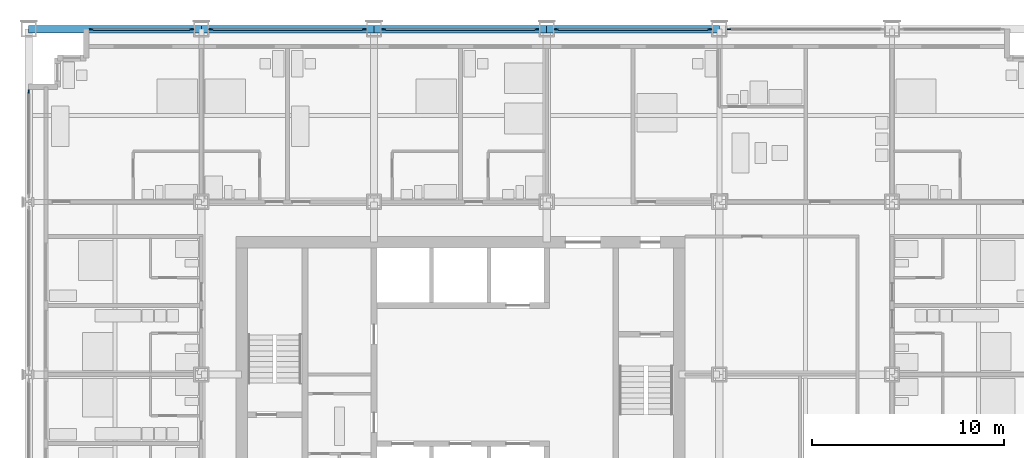
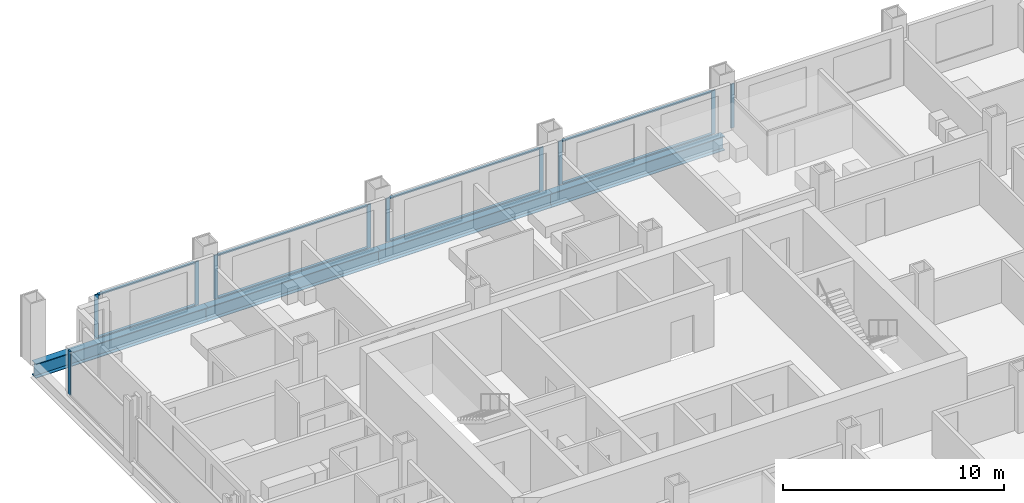
# One storey, part 7 of 18: 18 members, 4 beams, 6 elements without a shape of their own.
"""IFC4 building model written with IfcOpenShell, lengths in metres."""

import ifcopenshell
import ifcopenshell.guid

model = None  # the IFC model being written
_history = None  # IfcOwnerHistory: only IFC2X3 demands one
_inside = {}  # id of a spatial element -> (the spatial element, [elements in it])
_under = {}  # id of a project, library or spatial element -> (it, [spatial elements below it])
_declared = {}  # id of a project -> (the project, [libraries it declares])
_typed = {}  # id of a type object -> (the type object, [elements of that type])
_made_of = {}  # id of a material, layer set ... -> (it, [elements and type objects made of it])


def new_model(schema):
    """Start an empty IFC model of exactly this schema.

    Asked for "IFC4X3", IfcOpenShell would pick the latest addendum, in which some entities
    have other attributes; the version numbers below select the first issue.
    IFC2X3 requires an IfcOwnerHistory on every rooted entity: one is made here for all.
    """
    global model, _history
    if schema == "IFC4X3":
        model = ifcopenshell.file(schema_version=(4, 3, 0, 0))
    else:
        model = ifcopenshell.file(schema=schema)
    _inside.clear()
    _under.clear()
    _declared.clear()
    _typed.clear()
    _made_of.clear()
    _history = None
    if model.schema == "IFC2X3":
        org = make("IfcOrganization", Name="unknown")
        user = make(
            "IfcPersonAndOrganization",
            ThePerson=make("IfcPerson", FamilyName="unknown"),
            TheOrganization=org,
        )
        app = make(
            "IfcApplication",
            ApplicationDeveloper=org,
            Version="unknown",
            ApplicationFullName="unknown",
            ApplicationIdentifier="unknown",
        )
        _history = make(
            "IfcOwnerHistory",
            OwningUser=user,
            OwningApplication=app,
            ChangeAction="ADDED",
            CreationDate=0,
        )
    return model


def make(cls, **values):
    """One entity of the class cls with the attributes given. An attribute that is None is left unset."""
    return model.create_entity(
        cls, **{name: value for name, value in values.items() if value is not None}
    )


def rooted(cls, **values):
    """An entity with a GlobalId (a new one), such as an element, a storey or a relation."""
    return make(cls, GlobalId=ifcopenshell.guid.new(), OwnerHistory=_history, **values)


def si_unit(unit_type, name, prefix=None):
    """IfcSIUnit, for example si_unit("LENGTHUNIT", "METRE", prefix="MILLI")."""
    return make("IfcSIUnit", UnitType=unit_type, Prefix=prefix, Name=name)


def assignment(units):
    """IfcUnitAssignment: the units of a project."""
    return None if units is None else make("IfcUnitAssignment", Units=units)


def point(xyz):
    """IfcCartesianPoint."""
    return None if xyz is None else make("IfcCartesianPoint", Coordinates=xyz)


def direction(xyz):
    """IfcDirection."""
    return None if xyz is None else make("IfcDirection", DirectionRatios=xyz)


def frame(location, z_axis=None, x_axis=None):
    """IfcAxis2Placement3D, a coordinate frame: its origin and axes. An axis left out is left unset."""
    return make(
        "IfcAxis2Placement3D",
        Location=point(location),
        Axis=direction(z_axis),
        RefDirection=direction(x_axis),
    )


def frame_2d(location, x_axis=None):
    """IfcAxis2Placement2D, a coordinate frame in the plane: its origin and x axis."""
    return make(
        "IfcAxis2Placement2D", Location=point(location), RefDirection=direction(x_axis)
    )


def origin():
    """The frame at (0, 0, 0) with its axes left unset."""
    return frame((0.0, 0.0, 0.0))


def origin_2d():
    """The frame at (0, 0) in the plane with its x axis left unset."""
    return frame_2d((0.0, 0.0))


def place(relative_to, where):
    """IfcLocalPlacement: puts the frame where relative to a parent placement (None: the world)."""
    return make(
        "IfcLocalPlacement", PlacementRelTo=relative_to, RelativePlacement=where
    )


def context(
    kind, dimensions, precision=None, world=None, true_north=None, identifier=None
):
    """IfcGeometricRepresentationContext, for example the 3D "Model" context."""
    return make(
        "IfcGeometricRepresentationContext",
        ContextIdentifier=identifier,
        ContextType=kind,
        CoordinateSpaceDimension=dimensions,
        Precision=precision,
        WorldCoordinateSystem=world,
        TrueNorth=true_north,
    )


def subcontext(parent, identifier, kind, view, scale=None):
    """IfcGeometricRepresentationSubContext, for example "Body" below "Model"."""
    return make(
        "IfcGeometricRepresentationSubContext",
        ContextIdentifier=identifier,
        ContextType=kind,
        ParentContext=parent,
        TargetScale=scale,
        TargetView=view,
    )


def project(units=None, contexts=None):
    """IfcProject with its units and contexts."""
    return rooted(
        "IfcProject",
        Name="project",
        RepresentationContexts=contexts,
        UnitsInContext=assignment(units),
    )


def spatial(cls, under=None, at=None, **own):
    """A site, building, storey or space (cls), placed at a placement, below another one or the project."""
    s = rooted(cls, ObjectPlacement=at, **own)
    if under is not None:
        _under.setdefault(under.id(), (under, []))[1].append(s)
    return s


def profile(cls, at=None, kind="AREA", **sizes):
    """A parametric profile (cls). Its sizes go by their IFC names, for example OverallWidth=200.0."""
    return make(cls, ProfileType=kind, Position=at, **sizes)


def rectangle(**sizes):
    """IfcRectangleProfileDef."""
    return profile("IfcRectangleProfileDef", **sizes)


def i_section(**sizes):
    """IfcIShapeProfileDef."""
    return profile("IfcIShapeProfileDef", **sizes)


def extrude(swept, where, along, depth):
    """IfcExtrudedAreaSolid: the profile swept, set in the frame where, extruded along a direction by depth."""
    return make(
        "IfcExtrudedAreaSolid",
        SweptArea=swept,
        Position=where,
        ExtrudedDirection=direction(along),
        Depth=depth,
    )


def shape(context_of_items, identifier, shape_type, items):
    """IfcShapeRepresentation: the items that make up one representation, for example the "Body"."""
    return make(
        "IfcShapeRepresentation",
        ContextOfItems=context_of_items,
        RepresentationIdentifier=identifier,
        RepresentationType=shape_type,
        Items=items,
    )


def material(Name=None, Category=None):
    """IfcMaterial."""
    return make("IfcMaterial", Name=Name, Category=Category)


def material_profile(
    of_material, cross_section, Name=None, Category=None, Priority=None
):
    """IfcMaterialProfile: a cross section and its material."""
    return make(
        "IfcMaterialProfile",
        Name=Name,
        Material=of_material,
        Profile=cross_section,
        Priority=Priority,
        Category=Category,
    )


def profile_set(profiles, Name=None, composite=None):
    """IfcMaterialProfileSet."""
    return make(
        "IfcMaterialProfileSet",
        Name=Name,
        MaterialProfiles=profiles,
        CompositeProfile=composite,
    )


def made_of(thing, what):
    """Note that an element or type object is made of a material, layer set ...; save() writes the relation."""
    if what is not None:
        _made_of.setdefault(what.id(), (what, []))[1].append(thing)
    return thing


def type_object(cls, material=None, **own):
    """A type object (cls), such as IfcWallType, which elements share."""
    return made_of(rooted(cls, **own), material)


def element(
    cls,
    number,
    at=None,
    inside=None,
    cuts=None,
    type_object=None,
    material=None,
    context=None,
    identifier="Body",
    shape_type=None,
    held_by="IfcProductDefinitionShape",
    body=None,
    shapes=None,
    **own,
):
    """One element of the class cls, such as IfcWall. Its Tag is "e" and its number.

    at: its placement. inside: the storey or other place that contains it. cuts: it is an
    opening in that element (IfcRelVoidsElement). A single representation is given by context,
    identifier, shape_type and body (its items); several are given by shapes. held_by: the class
    of the entity that holds the representations. save() writes the other relations.
    """
    e = rooted(cls, Tag="e%d" % number, ObjectPlacement=at, **own)
    if body is not None:
        shapes = [shape(context, identifier, shape_type, body)]
    if shapes is not None:
        e.Representation = make(held_by, Representations=shapes)
    if inside is not None:
        _inside.setdefault(inside.id(), (inside, []))[1].append(e)
    if cuts is not None:
        rooted(
            "IfcRelVoidsElement", RelatingBuildingElement=cuts, RelatedOpeningElement=e
        )
    if type_object is not None:
        _typed.setdefault(type_object.id(), (type_object, []))[1].append(e)
    return made_of(e, material)


def aggregate(whole, parts):
    """IfcRelAggregates: a whole, such as a stair, and the parts it consists of."""
    return rooted("IfcRelAggregates", RelatingObject=whole, RelatedObjects=parts)


def save(model, path):
    """Write the relations noted so far, then the file.

    IfcRelAggregates (storeys below a building ...), IfcRelContainedInSpatialStructure (elements
    in a storey), IfcRelDefinesByType, IfcRelAssociatesMaterial and IfcRelDeclares: one each for
    every whole, place, type object, material and project.
    """
    for whole, parts in _under.values():
        aggregate(whole, parts)
    for where, things in _inside.values():
        rooted(
            "IfcRelContainedInSpatialStructure",
            RelatedElements=things,
            RelatingStructure=where,
        )
    for kind, things in _typed.values():
        rooted("IfcRelDefinesByType", RelatedObjects=things, RelatingType=kind)
    for what, things in _made_of.values():
        rooted("IfcRelAssociatesMaterial", RelatedObjects=things, RelatingMaterial=what)
    for by, libraries in _declared.values():
        rooted("IfcRelDeclares", RelatingContext=by, RelatedDefinitions=libraries)
    model.write(path)


model = new_model("IFC4")

# Units and contexts
model_context = context("Model", 3, precision=1e-05, world=origin(), true_north=direction((0.0, 1.0)))
body_context = subcontext(model_context, "Body", "Model", "MODEL_VIEW")
ifc_project = project(units=[si_unit("LENGTHUNIT", "METRE"), si_unit("AREAUNIT", "SQUARE_METRE"), si_unit("VOLUMEUNIT", "CUBIC_METRE"), si_unit("PLANEANGLEUNIT", "RADIAN"), si_unit("MASSUNIT", "GRAM", prefix="KILO")], contexts=[model_context])

# Site, building, storey
site_placement = place(None, origin())
site = spatial("IfcSite", under=ifc_project, at=site_placement, CompositionType="ELEMENT")
building_placement = place(site_placement, origin())
building = spatial("IfcBuilding", under=site, at=building_placement, Name="Loomwork Tower", CompositionType="ELEMENT")
storey_placement = place(building_placement, frame((0.0, 0.0, 55.199951171875)))
storey = spatial("IfcBuildingStorey", under=building, at=storey_placement, Name="L13", CompositionType="ELEMENT", Elevation=55.199951171875)

# Curtain wall, members
ifc_material_1 = material(Name="Aluminium curtain wall frame", Category="aluminium")
curtain_wall_type = type_object("IfcCurtainWallType", Name="Outer skin glazing hotel", PredefinedType="NOTDEFINED", material=ifc_material_1)
curtain_wall_1_placement = place(storey_placement, origin())
curtain_wall_1 = element("IfcCurtainWall", 1, at=curtain_wall_1_placement, inside=storey, type_object=curtain_wall_type, Name="Outer skin glazing hotel cw/N-0", PredefinedType="NOTDEFINED")
ifc_material_2 = material(Name="Aluminium curtain wall frame", Category="aluminium")
ifc_material_profile_1 = material_profile(ifc_material_2, rectangle(XDim=0.06494140625, YDim=0.199951171875, at=origin_2d()), Name="AL 65x200")
ifc_profile_set_1 = profile_set([ifc_material_profile_1], Name="Aluminium curtain wall frame")
member_type_1 = type_object("IfcMemberType", Name="Outer skin glazing hotel mullion", PredefinedType="MULLION", material=ifc_profile_set_1)
member_1_placement = place(storey_placement, frame((8.5, 36.0, 0.0), z_axis=(0.0, 0.0, 1.0), x_axis=(0.0, -1.0, 0.0)))
member_1 = element("IfcMember", 2, at=member_1_placement, type_object=member_type_1, Name="CW1 mullion 1", PredefinedType="MULLION", context=body_context, shape_type="SweptSolid", body=[
    extrude(rectangle(XDim=0.06494140625, YDim=0.199951171875, at=origin_2d()), origin(), (0.0, 0.0, 1.0), 2.420166015625),
])
member_2_placement = place(storey_placement, frame((3.25, 36.0, 0.0), z_axis=(0.0, 0.0, 1.0), x_axis=(0.0, -1.0, 0.0)))
member_2 = element("IfcMember", 3, at=member_2_placement, type_object=member_type_1, Name="CW1 mullion 2", PredefinedType="MULLION", context=body_context, shape_type="SweptSolid", body=[
    extrude(rectangle(XDim=0.06494140625, YDim=0.199951171875, at=origin_2d()), origin(), (0.0, 0.0, 1.0), 2.420166015625),
])

curtain_wall_2_placement = place(storey_placement, origin())
curtain_wall_2 = element("IfcCurtainWall", 4, at=curtain_wall_2_placement, inside=storey, type_object=curtain_wall_type, Name="Outer skin glazing hotel cw/N-9", PredefinedType="NOTDEFINED")
member_3_placement = place(storey_placement, frame((17.5, 36.0, 0.0), z_axis=(0.0, 0.0, 1.0), x_axis=(0.0, -1.0, 0.0)))
member_3 = element("IfcMember", 5, at=member_3_placement, type_object=member_type_1, Name="CW1 mullion 1", PredefinedType="MULLION", context=body_context, shape_type="SweptSolid", body=[
    extrude(rectangle(XDim=0.06494140625, YDim=0.199951171875, at=origin_2d()), origin(), (0.0, 0.0, 1.0), 2.420166015625),
])
member_4_placement = place(storey_placement, frame((9.5, 36.0, 0.0), z_axis=(0.0, 0.0, 1.0), x_axis=(0.0, -1.0, 0.0)))
member_4 = element("IfcMember", 6, at=member_4_placement, type_object=member_type_1, Name="CW1 mullion 2", PredefinedType="MULLION", context=body_context, shape_type="SweptSolid", body=[
    extrude(rectangle(XDim=0.06494140625, YDim=0.199951171875, at=origin_2d()), origin(), (0.0, 0.0, 1.0), 2.420166015625),
])

curtain_wall_3_placement = place(storey_placement, origin())
curtain_wall_3 = element("IfcCurtainWall", 7, at=curtain_wall_3_placement, inside=storey, type_object=curtain_wall_type, Name="Outer skin glazing hotel cw/N-18", PredefinedType="NOTDEFINED")
member_5_placement = place(storey_placement, frame((26.5, 36.0, 0.0), z_axis=(0.0, 0.0, 1.0), x_axis=(0.0, -1.0, 0.0)))
member_5 = element("IfcMember", 8, at=member_5_placement, type_object=member_type_1, Name="CW1 mullion 1", PredefinedType="MULLION", context=body_context, shape_type="SweptSolid", body=[
    extrude(rectangle(XDim=0.06494140625, YDim=0.199951171875, at=origin_2d()), origin(), (0.0, 0.0, 1.0), 2.420166015625),
])
member_6_placement = place(storey_placement, frame((18.5, 36.0, 0.0), z_axis=(0.0, 0.0, 1.0), x_axis=(0.0, -1.0, 0.0)))
member_6 = element("IfcMember", 9, at=member_6_placement, type_object=member_type_1, Name="CW1 mullion 2", PredefinedType="MULLION", context=body_context, shape_type="SweptSolid", body=[
    extrude(rectangle(XDim=0.06494140625, YDim=0.199951171875, at=origin_2d()), origin(), (0.0, 0.0, 1.0), 2.420166015625),
])

curtain_wall_4_placement = place(storey_placement, origin())
curtain_wall_4 = element("IfcCurtainWall", 10, at=curtain_wall_4_placement, inside=storey, type_object=curtain_wall_type, Name="Outer skin glazing hotel cw/N-27", PredefinedType="NOTDEFINED")
member_7_placement = place(storey_placement, frame((35.5, 36.0, 0.0), z_axis=(0.0, 0.0, 1.0), x_axis=(0.0, -1.0, 0.0)))
member_7 = element("IfcMember", 11, at=member_7_placement, type_object=member_type_1, Name="CW1 mullion 1", PredefinedType="MULLION", context=body_context, shape_type="SweptSolid", body=[
    extrude(rectangle(XDim=0.06494140625, YDim=0.199951171875, at=origin_2d()), origin(), (0.0, 0.0, 1.0), 2.420166015625),
])
member_8_placement = place(storey_placement, frame((27.5, 36.0, 0.0), z_axis=(0.0, 0.0, 1.0), x_axis=(0.0, -1.0, 0.0)))
member_8 = element("IfcMember", 12, at=member_8_placement, type_object=member_type_1, Name="CW1 mullion 2", PredefinedType="MULLION", context=body_context, shape_type="SweptSolid", body=[
    extrude(rectangle(XDim=0.06494140625, YDim=0.199951171875, at=origin_2d()), origin(), (0.0, 0.0, 1.0), 2.420166015625),
])

# Curtain wall, member
curtain_wall_5_placement = place(storey_placement, origin())
curtain_wall_5 = element("IfcCurtainWall", 13, at=curtain_wall_5_placement, inside=storey, type_object=curtain_wall_type, Name="Outer skin glazing hotel cw/N-36", PredefinedType="NOTDEFINED")
member_9_placement = place(storey_placement, frame((36.5, 36.0, 0.0), z_axis=(0.0, 0.0, 1.0), x_axis=(0.0, -1.0, 0.0)))
member_9 = element("IfcMember", 14, at=member_9_placement, type_object=member_type_1, Name="CW1 mullion 2", PredefinedType="MULLION", context=body_context, shape_type="SweptSolid", body=[
    extrude(rectangle(XDim=0.06494140625, YDim=0.199951171875, at=origin_2d()), origin(), (0.0, 0.0, 1.0), 2.420166015625),
])
aggregate(curtain_wall_5, [member_9])

curtain_wall_6_placement = place(storey_placement, origin())
curtain_wall_6 = element("IfcCurtainWall", 15, at=curtain_wall_6_placement, inside=storey, type_object=curtain_wall_type, Name="Outer skin glazing hotel cw/W-27", PredefinedType="NOTDEFINED")
member_10_placement = place(storey_placement, frame((0.0, 32.75, 0.0), z_axis=(0.0, 0.0, 1.0), x_axis=(1.0, 0.0, 0.0)))
member_10 = element("IfcMember", 16, at=member_10_placement, type_object=member_type_1, Name="CW1 mullion 1", PredefinedType="MULLION", context=body_context, shape_type="SweptSolid", body=[
    extrude(rectangle(XDim=0.06494140625, YDim=0.199951171875, at=origin_2d()), origin(), (0.0, 0.0, 1.0), 2.420166015625),
])
aggregate(curtain_wall_6, [member_10])

# Member
ifc_material_3 = material(Name="Aluminium curtain wall frame", Category="aluminium")
ifc_material_profile_2 = material_profile(ifc_material_3, rectangle(XDim=0.14990234375, YDim=0.06494140625, at=origin_2d()), Name="AL 65x150")
ifc_profile_set_2 = profile_set([ifc_material_profile_2], Name="Aluminium curtain wall frame")
member_type_2 = type_object("IfcMemberType", Name="Outer skin glazing hotel transom", PredefinedType="USERDEFINED", material=ifc_profile_set_2)
member_11_placement = place(storey_placement, frame((8.39990234375, 36.0, 0.032470703125), z_axis=(-1.0, 0.0, 0.0), x_axis=(0.0, -1.0, 0.0)))
member_11 = element("IfcMember", 17, at=member_11_placement, type_object=member_type_2, Name="CW1 transom 1.1", ObjectType="TRANSOM", PredefinedType="USERDEFINED", context=body_context, shape_type="SweptSolid", body=[
    extrude(rectangle(XDim=0.14990234375, YDim=0.06494140625, at=origin_2d()), origin(), (0.0, 0.0, 1.0), 5.0498046875),
])

member_12_placement = place(storey_placement, frame((8.39990234375, 36.0, 2.3876953125), z_axis=(-1.0, 0.0, 0.0), x_axis=(0.0, -1.0, 0.0)))
member_12 = element("IfcMember", 18, at=member_12_placement, type_object=member_type_2, Name="CW1 transom 1.2", ObjectType="TRANSOM", PredefinedType="USERDEFINED", context=body_context, shape_type="SweptSolid", body=[
    extrude(rectangle(XDim=0.14990234375, YDim=0.06494140625, at=origin_2d()), origin(), (0.0, 0.0, 1.0), 5.0498046875),
])

aggregate(curtain_wall_1, [member_1, member_2, member_11, member_12])

member_13_placement = place(storey_placement, frame((17.39990234375, 36.0, 0.032470703125), z_axis=(-1.0, 0.0, 0.0), x_axis=(0.0, -1.0, 0.0)))
member_13 = element("IfcMember", 19, at=member_13_placement, type_object=member_type_2, Name="CW1 transom 1.1", ObjectType="TRANSOM", PredefinedType="USERDEFINED", context=body_context, shape_type="SweptSolid", body=[
    extrude(rectangle(XDim=0.14990234375, YDim=0.06494140625, at=origin_2d()), origin(), (0.0, 0.0, 1.0), 7.7998046875),
])

member_14_placement = place(storey_placement, frame((17.39990234375, 36.0, 2.3876953125), z_axis=(-1.0, 0.0, 0.0), x_axis=(0.0, -1.0, 0.0)))
member_14 = element("IfcMember", 20, at=member_14_placement, type_object=member_type_2, Name="CW1 transom 1.2", ObjectType="TRANSOM", PredefinedType="USERDEFINED", context=body_context, shape_type="SweptSolid", body=[
    extrude(rectangle(XDim=0.14990234375, YDim=0.06494140625, at=origin_2d()), origin(), (0.0, 0.0, 1.0), 7.7998046875),
])

aggregate(curtain_wall_2, [member_3, member_4, member_13, member_14])

member_15_placement = place(storey_placement, frame((26.39990234375, 36.0, 0.032470703125), z_axis=(-1.0, 0.0, 0.0), x_axis=(0.0, -1.0, 0.0)))
member_15 = element("IfcMember", 21, at=member_15_placement, type_object=member_type_2, Name="CW1 transom 1.1", ObjectType="TRANSOM", PredefinedType="USERDEFINED", context=body_context, shape_type="SweptSolid", body=[
    extrude(rectangle(XDim=0.14990234375, YDim=0.06494140625, at=origin_2d()), origin(), (0.0, 0.0, 1.0), 7.7998046875),
])

member_16_placement = place(storey_placement, frame((26.39990234375, 36.0, 2.3876953125), z_axis=(-1.0, 0.0, 0.0), x_axis=(0.0, -1.0, 0.0)))
member_16 = element("IfcMember", 22, at=member_16_placement, type_object=member_type_2, Name="CW1 transom 1.2", ObjectType="TRANSOM", PredefinedType="USERDEFINED", context=body_context, shape_type="SweptSolid", body=[
    extrude(rectangle(XDim=0.14990234375, YDim=0.06494140625, at=origin_2d()), origin(), (0.0, 0.0, 1.0), 7.7998046875),
])

aggregate(curtain_wall_3, [member_5, member_6, member_15, member_16])

member_17_placement = place(storey_placement, frame((35.39990234375, 36.0, 0.032470703125), z_axis=(-1.0, 0.0, 0.0), x_axis=(0.0, -1.0, 0.0)))
member_17 = element("IfcMember", 23, at=member_17_placement, type_object=member_type_2, Name="CW1 transom 1.1", ObjectType="TRANSOM", PredefinedType="USERDEFINED", context=body_context, shape_type="SweptSolid", body=[
    extrude(rectangle(XDim=0.14990234375, YDim=0.06494140625, at=origin_2d()), origin(), (0.0, 0.0, 1.0), 7.7998046875),
])

member_18_placement = place(storey_placement, frame((35.39990234375, 36.0, 2.3876953125), z_axis=(-1.0, 0.0, 0.0), x_axis=(0.0, -1.0, 0.0)))
member_18 = element("IfcMember", 24, at=member_18_placement, type_object=member_type_2, Name="CW1 transom 1.2", ObjectType="TRANSOM", PredefinedType="USERDEFINED", context=body_context, shape_type="SweptSolid", body=[
    extrude(rectangle(XDim=0.14990234375, YDim=0.06494140625, at=origin_2d()), origin(), (0.0, 0.0, 1.0), 7.7998046875),
])

aggregate(curtain_wall_4, [member_7, member_8, member_17, member_18])

# Beams
ifc_material_4 = material(Name="Steel ASTM A992", Category="steel")
ifc_material_profile_3 = material_profile(ifc_material_4, i_section(OverallWidth=0.381103515625, OverallDepth=0.77978515625, WebThickness=0.01806640625, FlangeThickness=0.0302734375, at=origin_2d()), Name="W30x191")
ifc_profile_set_3 = profile_set([ifc_material_profile_3], Name="Steel ASTM A992")
beam_type = type_object("IfcBeamType", Name="SPANDREL GIRDER W30x191", PredefinedType="SPANDREL", material=ifc_profile_set_3)
for number, where, z_axis, x_axis, name in (
    (25, (0.0, 36.0, -0.58984375), (1.0, 0.0, 0.0), (0.0, 1.0, 0.0), "Spandrel Girder H/2-H/3 L13"),
    (26, (9.0, 36.0, -0.58984375), (1.0, 0.0, 0.0), (0.0, 1.0, 0.0), "Spandrel Girder H/3-H/4 L13"),
    (27, (18.0, 36.0, -0.58984375), (1.0, 0.0, 0.0), (0.0, 1.0, 0.0), "Spandrel Girder H/4-H/5 L13"),
    (28, (27.0, 36.0, -0.58984375), (1.0, 0.0, 0.0), (0.0, 1.0, 0.0), "Spandrel Girder H/5-H/6 L13"),
):
    element("IfcBeam", number, at=place(storey_placement, frame(where, z_axis=z_axis, x_axis=x_axis)), inside=storey, type_object=beam_type, Name=name, PredefinedType="SPANDREL", context=body_context, shape_type="SweptSolid", body=[
        extrude(i_section(OverallWidth=0.381103515625, OverallDepth=0.77978515625, WebThickness=0.01806640625, FlangeThickness=0.0302734375, at=origin_2d()), origin(), (0.0, 0.0, 1.0), 9.0),
    ])

save(model, "model.ifc")
